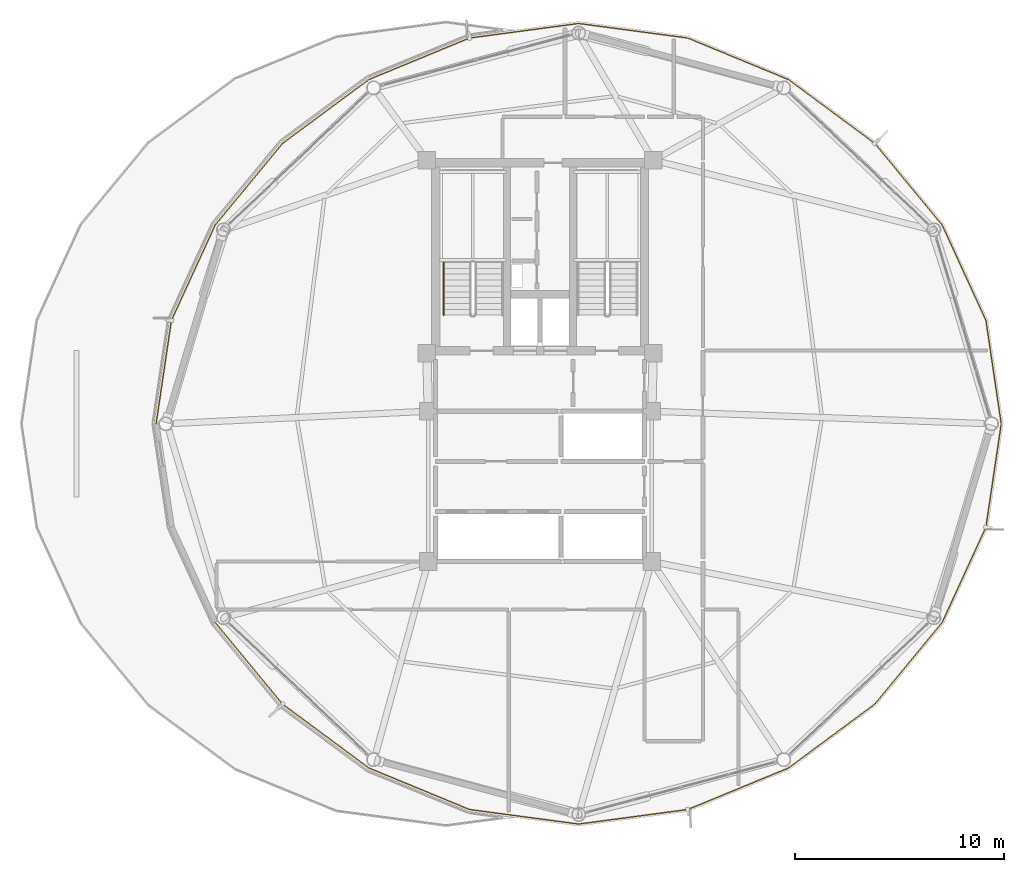
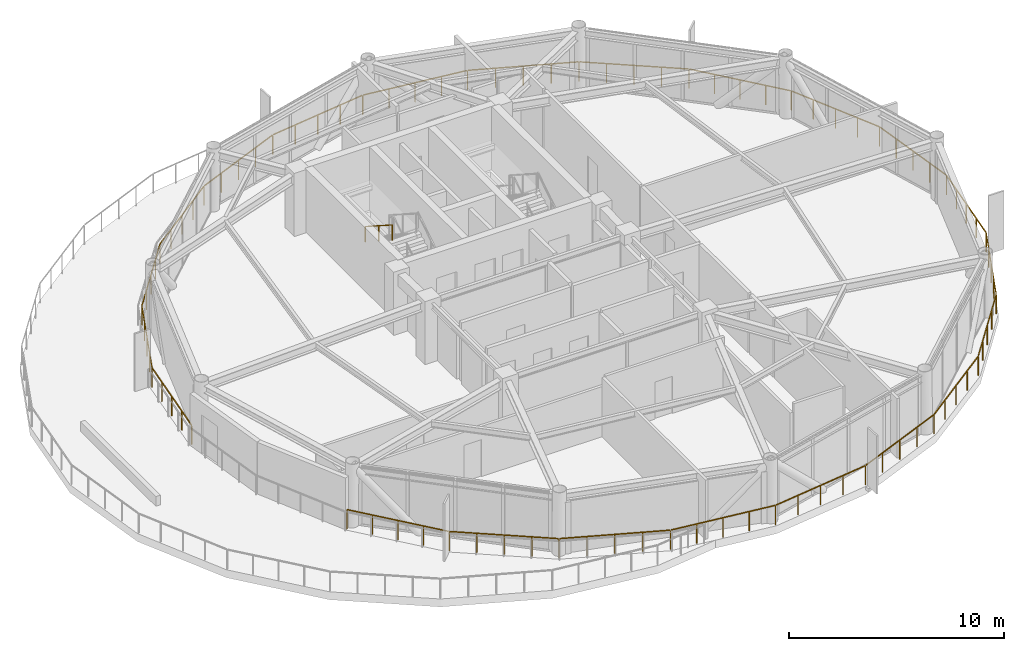
# One storey, part 23 of 25: 2 railings.
"""IFC4 building model written with IfcOpenShell, lengths in metres."""

import ifcopenshell
import ifcopenshell.guid

model = None  # the IFC model being written
_history = None  # IfcOwnerHistory: only IFC2X3 demands one
_inside = {}  # id of a spatial element -> (the spatial element, [elements in it])
_under = {}  # id of a project, library or spatial element -> (it, [spatial elements below it])
_declared = {}  # id of a project -> (the project, [libraries it declares])
_typed = {}  # id of a type object -> (the type object, [elements of that type])
_made_of = {}  # id of a material, layer set ... -> (it, [elements and type objects made of it])


def new_model(schema):
    """Start an empty IFC model of exactly this schema.

    Asked for "IFC4X3", IfcOpenShell would pick the latest addendum, in which some entities
    have other attributes; the version numbers below select the first issue.
    IFC2X3 requires an IfcOwnerHistory on every rooted entity: one is made here for all.
    """
    global model, _history
    if schema == "IFC4X3":
        model = ifcopenshell.file(schema_version=(4, 3, 0, 0))
    else:
        model = ifcopenshell.file(schema=schema)
    _inside.clear()
    _under.clear()
    _declared.clear()
    _typed.clear()
    _made_of.clear()
    _history = None
    if model.schema == "IFC2X3":
        org = make("IfcOrganization", Name="unknown")
        user = make(
            "IfcPersonAndOrganization",
            ThePerson=make("IfcPerson", FamilyName="unknown"),
            TheOrganization=org,
        )
        app = make(
            "IfcApplication",
            ApplicationDeveloper=org,
            Version="unknown",
            ApplicationFullName="unknown",
            ApplicationIdentifier="unknown",
        )
        _history = make(
            "IfcOwnerHistory",
            OwningUser=user,
            OwningApplication=app,
            ChangeAction="ADDED",
            CreationDate=0,
        )
    return model


def make(cls, **values):
    """One entity of the class cls with the attributes given. An attribute that is None is left unset."""
    return model.create_entity(
        cls, **{name: value for name, value in values.items() if value is not None}
    )


def rooted(cls, **values):
    """An entity with a GlobalId (a new one), such as an element, a storey or a relation."""
    return make(cls, GlobalId=ifcopenshell.guid.new(), OwnerHistory=_history, **values)


def si_unit(unit_type, name, prefix=None):
    """IfcSIUnit, for example si_unit("LENGTHUNIT", "METRE", prefix="MILLI")."""
    return make("IfcSIUnit", UnitType=unit_type, Prefix=prefix, Name=name)


def assignment(units):
    """IfcUnitAssignment: the units of a project."""
    return None if units is None else make("IfcUnitAssignment", Units=units)


def point(xyz):
    """IfcCartesianPoint."""
    return None if xyz is None else make("IfcCartesianPoint", Coordinates=xyz)


def direction(xyz):
    """IfcDirection."""
    return None if xyz is None else make("IfcDirection", DirectionRatios=xyz)


def frame(location, z_axis=None, x_axis=None):
    """IfcAxis2Placement3D, a coordinate frame: its origin and axes. An axis left out is left unset."""
    return make(
        "IfcAxis2Placement3D",
        Location=point(location),
        Axis=direction(z_axis),
        RefDirection=direction(x_axis),
    )


def frame_2d(location, x_axis=None):
    """IfcAxis2Placement2D, a coordinate frame in the plane: its origin and x axis."""
    return make(
        "IfcAxis2Placement2D", Location=point(location), RefDirection=direction(x_axis)
    )


def origin():
    """The frame at (0, 0, 0) with its axes left unset."""
    return frame((0.0, 0.0, 0.0))


def origin_2d():
    """The frame at (0, 0) in the plane with its x axis left unset."""
    return frame_2d((0.0, 0.0))


def place(relative_to, where):
    """IfcLocalPlacement: puts the frame where relative to a parent placement (None: the world)."""
    return make(
        "IfcLocalPlacement", PlacementRelTo=relative_to, RelativePlacement=where
    )


def context(
    kind, dimensions, precision=None, world=None, true_north=None, identifier=None
):
    """IfcGeometricRepresentationContext, for example the 3D "Model" context."""
    return make(
        "IfcGeometricRepresentationContext",
        ContextIdentifier=identifier,
        ContextType=kind,
        CoordinateSpaceDimension=dimensions,
        Precision=precision,
        WorldCoordinateSystem=world,
        TrueNorth=true_north,
    )


def subcontext(parent, identifier, kind, view, scale=None):
    """IfcGeometricRepresentationSubContext, for example "Body" below "Model"."""
    return make(
        "IfcGeometricRepresentationSubContext",
        ContextIdentifier=identifier,
        ContextType=kind,
        ParentContext=parent,
        TargetScale=scale,
        TargetView=view,
    )


def project(units=None, contexts=None):
    """IfcProject with its units and contexts."""
    return rooted(
        "IfcProject",
        Name="project",
        RepresentationContexts=contexts,
        UnitsInContext=assignment(units),
    )


def spatial(cls, under=None, at=None, **own):
    """A site, building, storey or space (cls), placed at a placement, below another one or the project."""
    s = rooted(cls, ObjectPlacement=at, **own)
    if under is not None:
        _under.setdefault(under.id(), (under, []))[1].append(s)
    return s


def profile(cls, at=None, kind="AREA", **sizes):
    """A parametric profile (cls). Its sizes go by their IFC names, for example OverallWidth=200.0."""
    return make(cls, ProfileType=kind, Position=at, **sizes)


def rectangle(**sizes):
    """IfcRectangleProfileDef."""
    return profile("IfcRectangleProfileDef", **sizes)


def extrude(swept, where, along, depth):
    """IfcExtrudedAreaSolid: the profile swept, set in the frame where, extruded along a direction by depth."""
    return make(
        "IfcExtrudedAreaSolid",
        SweptArea=swept,
        Position=where,
        ExtrudedDirection=direction(along),
        Depth=depth,
    )


def shape(context_of_items, identifier, shape_type, items):
    """IfcShapeRepresentation: the items that make up one representation, for example the "Body"."""
    return make(
        "IfcShapeRepresentation",
        ContextOfItems=context_of_items,
        RepresentationIdentifier=identifier,
        RepresentationType=shape_type,
        Items=items,
    )


def material(Name=None, Category=None):
    """IfcMaterial."""
    return make("IfcMaterial", Name=Name, Category=Category)


def made_of(thing, what):
    """Note that an element or type object is made of a material, layer set ...; save() writes the relation."""
    if what is not None:
        _made_of.setdefault(what.id(), (what, []))[1].append(thing)
    return thing


def type_object(cls, material=None, **own):
    """A type object (cls), such as IfcWallType, which elements share."""
    return made_of(rooted(cls, **own), material)


def element(
    cls,
    number,
    at=None,
    inside=None,
    cuts=None,
    type_object=None,
    material=None,
    context=None,
    identifier="Body",
    shape_type=None,
    held_by="IfcProductDefinitionShape",
    body=None,
    shapes=None,
    **own,
):
    """One element of the class cls, such as IfcWall. Its Tag is "e" and its number.

    at: its placement. inside: the storey or other place that contains it. cuts: it is an
    opening in that element (IfcRelVoidsElement). A single representation is given by context,
    identifier, shape_type and body (its items); several are given by shapes. held_by: the class
    of the entity that holds the representations. save() writes the other relations.
    """
    e = rooted(cls, Tag="e%d" % number, ObjectPlacement=at, **own)
    if body is not None:
        shapes = [shape(context, identifier, shape_type, body)]
    if shapes is not None:
        e.Representation = make(held_by, Representations=shapes)
    if inside is not None:
        _inside.setdefault(inside.id(), (inside, []))[1].append(e)
    if cuts is not None:
        rooted(
            "IfcRelVoidsElement", RelatingBuildingElement=cuts, RelatedOpeningElement=e
        )
    if type_object is not None:
        _typed.setdefault(type_object.id(), (type_object, []))[1].append(e)
    return made_of(e, material)


def aggregate(whole, parts):
    """IfcRelAggregates: a whole, such as a stair, and the parts it consists of."""
    return rooted("IfcRelAggregates", RelatingObject=whole, RelatedObjects=parts)


def save(model, path):
    """Write the relations noted so far, then the file.

    IfcRelAggregates (storeys below a building ...), IfcRelContainedInSpatialStructure (elements
    in a storey), IfcRelDefinesByType, IfcRelAssociatesMaterial and IfcRelDeclares: one each for
    every whole, place, type object, material and project.
    """
    for whole, parts in _under.values():
        aggregate(whole, parts)
    for where, things in _inside.values():
        rooted(
            "IfcRelContainedInSpatialStructure",
            RelatedElements=things,
            RelatingStructure=where,
        )
    for kind, things in _typed.values():
        rooted("IfcRelDefinesByType", RelatedObjects=things, RelatingType=kind)
    for what, things in _made_of.values():
        rooted("IfcRelAssociatesMaterial", RelatedObjects=things, RelatingMaterial=what)
    for by, libraries in _declared.values():
        rooted("IfcRelDeclares", RelatingContext=by, RelatedDefinitions=libraries)
    model.write(path)


model = new_model("IFC4")

# Units and contexts
model_context = context("Model", 3, precision=1e-05, world=origin(), true_north=direction((0.0, 1.0)))
body_context = subcontext(model_context, "Body", "Model", "MODEL_VIEW")
ifc_project = project(units=[si_unit("LENGTHUNIT", "METRE"), si_unit("AREAUNIT", "SQUARE_METRE"), si_unit("VOLUMEUNIT", "CUBIC_METRE"), si_unit("PLANEANGLEUNIT", "RADIAN"), si_unit("MASSUNIT", "GRAM", prefix="KILO")], contexts=[model_context])

# Site, building, storey
site_placement = place(None, origin())
site = spatial("IfcSite", under=ifc_project, at=site_placement, CompositionType="ELEMENT")
building_placement = place(site_placement, origin())
building = spatial("IfcBuilding", under=site, at=building_placement, Name="Varnakorn Sky Granary", CompositionType="ELEMENT")
storey_placement = place(building_placement, frame((0.0, 0.0, 178.800048828125)))
storey = spatial("IfcBuildingStorey", under=building, at=storey_placement, Name="L44", CompositionType="ELEMENT", Elevation=178.800048828125)

# Railings
ifc_material_1 = material(Name="Anodised Bronze Aluminium Alloy 6063-T6", Category="aluminium")
railing_type_1 = type_object("IfcRailingType", Name="RL-BAL-1120", PredefinedType="BALUSTRADE", material=ifc_material_1)
railing_1_placement = place(storey_placement, frame((-12.554443359375, -9.515380859375, 0.0)))
element("IfcRailing", 1, at=railing_1_placement, inside=storey, type_object=railing_type_1, Name="Perimeter Slab-Edge Safety Guard L44", PredefinedType="BALUSTRADE", context=body_context, shape_type="SweptSolid", body=[
    extrude(rectangle(XDim=0.048095703125, YDim=0.048095703125, at=origin_2d()), frame((0.0, 0.0, 1.09619140625), z_axis=(0.636395852056, -0.771362638119, 0.0), x_axis=(0.771362638119, 0.636395852056, 0.0)), (0.0, 0.0, 1.0), 5.04052734375),
    extrude(rectangle(XDim=0.048095703125, YDim=0.048095703125, at=origin_2d()), frame((3.248046875, -3.92626953125, 1.09619140625), z_axis=(0.803871888754, -0.594802476854, 0.0), x_axis=(0.594802476854, 0.803871888754, 0.0)), (0.0, 0.0, 1.0), 5.08203125),
    extrude(rectangle(XDim=0.048095703125, YDim=0.048095703125, at=origin_2d()), frame((7.3818359375, -6.9765625, 1.09619140625), z_axis=(0.924540427253, -0.381083978113, 0.0), x_axis=(0.381083978113, 0.924540427253, 0.0)), (0.0, 0.0, 1.0), 5.161376953125),
    extrude(rectangle(XDim=0.048095703125, YDim=0.048095703125, at=origin_2d()), frame((12.20751953125, -8.957763671875, 1.09619140625), z_axis=(0.991230732064, -0.132142482995, 0.0), x_axis=(0.132142482995, 0.991230732064, 0.0)), (0.0, 0.0, 1.0), 5.215087890625),
    extrude(rectangle(XDim=0.048095703125, YDim=0.048095703125, at=origin_2d()), frame((17.432373046875, -9.64697265625, 1.09619140625), z_axis=(0.991229923237, 0.132148550047, 0.0), x_axis=(-0.132148550047, 0.991229923237, 0.0)), (0.0, 0.0, 1.0), 5.21484375),
    extrude(rectangle(XDim=0.048095703125, YDim=0.048095703125, at=origin_2d()), frame((22.655029296875, -8.943359375, 1.09619140625), z_axis=(0.924540427253, 0.381083978113, 0.0), x_axis=(-0.381083978113, 0.924540427253, 0.0)), (0.0, 0.0, 1.0), 5.161376953125),
    extrude(rectangle(XDim=0.048095703125, YDim=0.048095703125, at=origin_2d()), frame((27.475341796875, -6.94921875, 1.09619140625), z_axis=(0.803871888754, 0.594802476854, 0.0), x_axis=(-0.594802476854, 0.803871888754, 0.0)), (0.0, 0.0, 1.0), 5.08203125),
    extrude(rectangle(XDim=0.048095703125, YDim=0.048095703125, at=origin_2d()), frame((31.60107421875, -3.88818359375, 1.09619140625), z_axis=(0.636395852056, 0.771362638119, 0.0), x_axis=(-0.771362638119, 0.636395852056, 0.0)), (0.0, 0.0, 1.0), 5.012451171875),
    extrude(rectangle(XDim=0.048095703125, YDim=0.048095703125, at=origin_2d()), frame((34.820556640625, 0.025390625, 1.09619140625), z_axis=(0.416949189768, 0.908929795503, 0.0), x_axis=(-0.908929795503, 0.416949189768, 0.0)), (0.0, 0.0, 1.0), 4.968017578125),
    extrude(rectangle(XDim=0.048095703125, YDim=0.048095703125, at=origin_2d()), frame((36.90771484375, 4.593994140625, 1.09619140625), z_axis=(0.146495603883, 0.989211321227, 0.0), x_axis=(-0.989211321227, 0.146495603883, 0.0)), (0.0, 0.0, 1.0), 4.947021484375),
    extrude(rectangle(XDim=0.048095703125, YDim=0.048095703125, at=origin_2d()), frame((37.63232421875, 9.54296875, 1.09619140625), z_axis=(-0.146495603883, 0.989211321227, 0.0), x_axis=(-0.989211321227, -0.146495603883, 0.0)), (0.0, 0.0, 1.0), 4.947021484375),
    extrude(rectangle(XDim=0.048095703125, YDim=0.048095703125, at=origin_2d()), frame((36.891845703125, 14.48974609375, 1.09619140625), z_axis=(-0.416949189768, 0.908929795503, 0.0), x_axis=(-0.908929795503, -0.416949189768, 0.0)), (0.0, 0.0, 1.0), 4.968017578125),
    extrude(rectangle(XDim=0.048095703125, YDim=0.048095703125, at=origin_2d()), frame((34.791015625, 19.05224609375, 1.09619140625), z_axis=(-0.636395852056, 0.771362638119, 0.0), x_axis=(-0.771362638119, -0.636395852056, 0.0)), (0.0, 0.0, 1.0), 5.012451171875),
    extrude(rectangle(XDim=0.048095703125, YDim=0.048095703125, at=origin_2d()), frame((31.560791015625, 22.95703125, 1.09619140625), z_axis=(-0.803871888754, 0.594802476854, 0.0), x_axis=(-0.594802476854, -0.803871888754, 0.0)), (0.0, 0.0, 1.0), 5.08203125),
    extrude(rectangle(XDim=0.048095703125, YDim=0.048095703125, at=origin_2d()), frame((27.427001953125, 26.00732421875, 1.09619140625), z_axis=(-0.924540427253, 0.381083978113, 0.0), x_axis=(-0.381083978113, -0.924540427253, 0.0)), (0.0, 0.0, 1.0), 5.161376953125),
    extrude(rectangle(XDim=0.048095703125, YDim=0.048095703125, at=origin_2d()), frame((22.601318359375, 27.988525390625, 1.09619140625), z_axis=(-0.991229923237, 0.132148550047, 0.0), x_axis=(-0.132148550047, -0.991229923237, 0.0)), (0.0, 0.0, 1.0), 5.21484375),
    extrude(rectangle(XDim=0.048095703125, YDim=0.048095703125, at=origin_2d()), frame((17.376708984375, 28.677734375, 1.09619140625), z_axis=(-0.991230732064, -0.132142482995, 0.0), x_axis=(0.132142482995, -0.991230732064, 0.0)), (0.0, 0.0, 1.0), 5.215087890625),
    extrude(rectangle(XDim=0.048095703125, YDim=0.048095703125, at=origin_2d()), frame((12.15380859375, 27.97412109375, 1.09619140625), z_axis=(-0.924540427253, -0.381083978113, 0.0), x_axis=(0.381083978113, -0.924540427253, 0.0)), (0.0, 0.0, 1.0), 5.161376953125),
    extrude(rectangle(XDim=0.048095703125, YDim=0.048095703125, at=origin_2d()), frame((7.33349609375, 25.97998046875, 1.09619140625), z_axis=(-0.803871888754, -0.594802476854, 0.0), x_axis=(0.594802476854, -0.803871888754, 0.0)), (0.0, 0.0, 1.0), 5.08203125),
    extrude(rectangle(XDim=0.048095703125, YDim=0.048095703125, at=origin_2d()), frame((3.207763671875, 22.9189453125, 1.09619140625), z_axis=(-0.636395852056, -0.771362638119, 0.0), x_axis=(0.771362638119, -0.636395852056, 0.0)), (0.0, 0.0, 1.0), 5.012451171875),
    extrude(rectangle(XDim=0.048095703125, YDim=0.048095703125, at=origin_2d()), frame((-0.01171875, 19.00537109375, 1.09619140625), z_axis=(-0.416949189768, -0.908929795503, 0.0), x_axis=(0.908929795503, -0.416949189768, 0.0)), (0.0, 0.0, 1.0), 4.968017578125),
    extrude(rectangle(XDim=0.048095703125, YDim=0.048095703125, at=origin_2d()), frame((-2.098876953125, 14.436767578125, 1.09619140625), z_axis=(-0.146495603883, -0.989211321227, 0.0), x_axis=(0.989211321227, -0.146495603883, 0.0)), (0.0, 0.0, 1.0), 4.974853515625),
    extrude(rectangle(XDim=0.0419921875, YDim=0.0419921875, at=origin_2d()), origin(), (0.0, 0.0, 1.0), 1.068115234375),
    extrude(rectangle(XDim=0.0419921875, YDim=0.0419921875, at=origin_2d()), frame((0.806396484375, -0.9775390625, 0.0)), (0.0, 0.0, 1.0), 1.068115234375),
    extrude(rectangle(XDim=0.0419921875, YDim=0.0419921875, at=origin_2d()), frame((1.61279296875, -1.954833984375, 0.0)), (0.0, 0.0, 1.0), 1.068115234375),
    extrude(rectangle(XDim=0.0419921875, YDim=0.0419921875, at=origin_2d()), frame((2.419189453125, -2.93212890625, 0.0)), (0.0, 0.0, 1.0), 1.068115234375),
    extrude(rectangle(XDim=0.0419921875, YDim=0.0419921875, at=origin_2d()), frame((3.2255859375, -3.90966796875, 0.0)), (0.0, 0.0, 1.0), 1.068115234375),
    extrude(rectangle(XDim=0.0419921875, YDim=0.0419921875, at=origin_2d()), frame((4.25830078125, -4.673828125, 0.0)), (0.0, 0.0, 1.0), 1.068115234375),
    extrude(rectangle(XDim=0.0419921875, YDim=0.0419921875, at=origin_2d()), frame((5.290771484375, -5.437744140625, 0.0)), (0.0, 0.0, 1.0), 1.068115234375),
    extrude(rectangle(XDim=0.0419921875, YDim=0.0419921875, at=origin_2d()), frame((6.3232421875, -6.20166015625, 0.0)), (0.0, 0.0, 1.0), 1.068115234375),
    extrude(rectangle(XDim=0.0419921875, YDim=0.0419921875, at=origin_2d()), frame((7.35595703125, -6.9658203125, 0.0)), (0.0, 0.0, 1.0), 1.068115234375),
    extrude(rectangle(XDim=0.0419921875, YDim=0.0419921875, at=origin_2d()), frame((8.56201171875, -7.462890625, 0.0)), (0.0, 0.0, 1.0), 1.068115234375),
    extrude(rectangle(XDim=0.0419921875, YDim=0.0419921875, at=origin_2d()), frame((9.767822265625, -7.9599609375, 0.0)), (0.0, 0.0, 1.0), 1.068115234375),
    extrude(rectangle(XDim=0.0419921875, YDim=0.0419921875, at=origin_2d()), frame((10.9736328125, -8.45703125, 0.0)), (0.0, 0.0, 1.0), 1.068115234375),
    extrude(rectangle(XDim=0.0419921875, YDim=0.0419921875, at=origin_2d()), frame((12.1796875, -8.9541015625, 0.0)), (0.0, 0.0, 1.0), 1.068115234375),
    extrude(rectangle(XDim=0.0419921875, YDim=0.0419921875, at=origin_2d()), frame((13.48583984375, -9.128173828125, 0.0)), (0.0, 0.0, 1.0), 1.068115234375),
    extrude(rectangle(XDim=0.0419921875, YDim=0.0419921875, at=origin_2d()), frame((14.7919921875, -9.30224609375, 0.0)), (0.0, 0.0, 1.0), 1.068115234375),
    extrude(rectangle(XDim=0.0419921875, YDim=0.0419921875, at=origin_2d()), frame((16.098388671875, -9.4765625, 0.0)), (0.0, 0.0, 1.0), 1.068115234375),
    extrude(rectangle(XDim=0.0419921875, YDim=0.0419921875, at=origin_2d()), frame((17.404541015625, -9.650634765625, 0.0)), (0.0, 0.0, 1.0), 1.068115234375),
    extrude(rectangle(XDim=0.0419921875, YDim=0.0419921875, at=origin_2d()), frame((18.710693359375, -9.4765625, 0.0)), (0.0, 0.0, 1.0), 1.068115234375),
    extrude(rectangle(XDim=0.0419921875, YDim=0.0419921875, at=origin_2d()), frame((20.016845703125, -9.30224609375, 0.0)), (0.0, 0.0, 1.0), 1.068115234375),
    extrude(rectangle(XDim=0.0419921875, YDim=0.0419921875, at=origin_2d()), frame((21.322998046875, -9.128173828125, 0.0)), (0.0, 0.0, 1.0), 1.068115234375),
    extrude(rectangle(XDim=0.0419921875, YDim=0.0419921875, at=origin_2d()), frame((22.629150390625, -8.9541015625, 0.0)), (0.0, 0.0, 1.0), 1.068115234375),
    extrude(rectangle(XDim=0.0419921875, YDim=0.0419921875, at=origin_2d()), frame((23.8349609375, -8.45703125, 0.0)), (0.0, 0.0, 1.0), 1.068115234375),
    extrude(rectangle(XDim=0.0419921875, YDim=0.0419921875, at=origin_2d()), frame((25.041015625, -7.9599609375, 0.0)), (0.0, 0.0, 1.0), 1.068115234375),
    extrude(rectangle(XDim=0.0419921875, YDim=0.0419921875, at=origin_2d()), frame((26.2470703125, -7.462890625, 0.0)), (0.0, 0.0, 1.0), 1.068115234375),
    extrude(rectangle(XDim=0.0419921875, YDim=0.0419921875, at=origin_2d()), frame((27.452880859375, -6.9658203125, 0.0)), (0.0, 0.0, 1.0), 1.068115234375),
    extrude(rectangle(XDim=0.0419921875, YDim=0.0419921875, at=origin_2d()), frame((28.4853515625, -6.20166015625, 0.0)), (0.0, 0.0, 1.0), 1.068115234375),
    extrude(rectangle(XDim=0.0419921875, YDim=0.0419921875, at=origin_2d()), frame((29.51806640625, -5.437744140625, 0.0)), (0.0, 0.0, 1.0), 1.068115234375),
    extrude(rectangle(XDim=0.0419921875, YDim=0.0419921875, at=origin_2d()), frame((30.55078125, -4.673828125, 0.0)), (0.0, 0.0, 1.0), 1.068115234375),
    extrude(rectangle(XDim=0.0419921875, YDim=0.0419921875, at=origin_2d()), frame((31.583251953125, -3.90966796875, 0.0)), (0.0, 0.0, 1.0), 1.068115234375),
    extrude(rectangle(XDim=0.0419921875, YDim=0.0419921875, at=origin_2d()), frame((32.3896484375, -2.93212890625, 0.0)), (0.0, 0.0, 1.0), 1.068115234375),
    extrude(rectangle(XDim=0.0419921875, YDim=0.0419921875, at=origin_2d()), frame((33.196044921875, -1.954833984375, 0.0)), (0.0, 0.0, 1.0), 1.068115234375),
    extrude(rectangle(XDim=0.0419921875, YDim=0.0419921875, at=origin_2d()), frame((34.00244140625, -0.9775390625, 0.0)), (0.0, 0.0, 1.0), 1.068115234375),
    extrude(rectangle(XDim=0.0419921875, YDim=0.0419921875, at=origin_2d()), frame((34.808837890625, 0.0, 0.0)), (0.0, 0.0, 1.0), 1.068115234375),
    extrude(rectangle(XDim=0.0419921875, YDim=0.0419921875, at=origin_2d()), frame((35.33251953125, 1.1416015625, 0.0)), (0.0, 0.0, 1.0), 1.068115234375),
    extrude(rectangle(XDim=0.0419921875, YDim=0.0419921875, at=origin_2d()), frame((35.856201171875, 2.283203125, 0.0)), (0.0, 0.0, 1.0), 1.068115234375),
    extrude(rectangle(XDim=0.0419921875, YDim=0.0419921875, at=origin_2d()), frame((36.3798828125, 3.4248046875, 0.0)), (0.0, 0.0, 1.0), 1.068115234375),
    extrude(rectangle(XDim=0.0419921875, YDim=0.0419921875, at=origin_2d()), frame((36.903564453125, 4.56640625, 0.0)), (0.0, 0.0, 1.0), 1.068115234375),
    extrude(rectangle(XDim=0.0419921875, YDim=0.0419921875, at=origin_2d()), frame((37.0869140625, 5.8037109375, 0.0)), (0.0, 0.0, 1.0), 1.068115234375),
    extrude(rectangle(XDim=0.0419921875, YDim=0.0419921875, at=origin_2d()), frame((37.27001953125, 7.041015625, 0.0)), (0.0, 0.0, 1.0), 1.068115234375),
    extrude(rectangle(XDim=0.0419921875, YDim=0.0419921875, at=origin_2d()), frame((37.453125, 8.278076171875, 0.0)), (0.0, 0.0, 1.0), 1.068115234375),
    extrude(rectangle(XDim=0.0419921875, YDim=0.0419921875, at=origin_2d()), frame((37.636474609375, 9.515380859375, 0.0)), (0.0, 0.0, 1.0), 1.068115234375),
    extrude(rectangle(XDim=0.0419921875, YDim=0.0419921875, at=origin_2d()), frame((37.453125, 10.752685546875, 0.0)), (0.0, 0.0, 1.0), 1.068115234375),
    extrude(rectangle(XDim=0.0419921875, YDim=0.0419921875, at=origin_2d()), frame((37.27001953125, 11.98974609375, 0.0)), (0.0, 0.0, 1.0), 1.068115234375),
    extrude(rectangle(XDim=0.0419921875, YDim=0.0419921875, at=origin_2d()), frame((37.0869140625, 13.22705078125, 0.0)), (0.0, 0.0, 1.0), 1.068115234375),
    extrude(rectangle(XDim=0.0419921875, YDim=0.0419921875, at=origin_2d()), frame((36.903564453125, 14.46435546875, 0.0)), (0.0, 0.0, 1.0), 1.068115234375),
    extrude(rectangle(XDim=0.0419921875, YDim=0.0419921875, at=origin_2d()), frame((36.3798828125, 15.60595703125, 0.0)), (0.0, 0.0, 1.0), 1.068115234375),
    extrude(rectangle(XDim=0.0419921875, YDim=0.0419921875, at=origin_2d()), frame((35.856201171875, 16.74755859375, 0.0)), (0.0, 0.0, 1.0), 1.068115234375),
    extrude(rectangle(XDim=0.0419921875, YDim=0.0419921875, at=origin_2d()), frame((35.33251953125, 17.88916015625, 0.0)), (0.0, 0.0, 1.0), 1.068115234375),
    extrude(rectangle(XDim=0.0419921875, YDim=0.0419921875, at=origin_2d()), frame((34.808837890625, 19.03076171875, 0.0)), (0.0, 0.0, 1.0), 1.068115234375),
    extrude(rectangle(XDim=0.0419921875, YDim=0.0419921875, at=origin_2d()), frame((34.00244140625, 20.00830078125, 0.0)), (0.0, 0.0, 1.0), 1.068115234375),
    extrude(rectangle(XDim=0.0419921875, YDim=0.0419921875, at=origin_2d()), frame((33.196044921875, 20.985595703125, 0.0)), (0.0, 0.0, 1.0), 1.068115234375),
    extrude(rectangle(XDim=0.0419921875, YDim=0.0419921875, at=origin_2d()), frame((32.3896484375, 21.962890625, 0.0)), (0.0, 0.0, 1.0), 1.068115234375),
    extrude(rectangle(XDim=0.0419921875, YDim=0.0419921875, at=origin_2d()), frame((31.583251953125, 22.9404296875, 0.0)), (0.0, 0.0, 1.0), 1.068115234375),
    extrude(rectangle(XDim=0.0419921875, YDim=0.0419921875, at=origin_2d()), frame((30.55078125, 23.70458984375, 0.0)), (0.0, 0.0, 1.0), 1.068115234375),
    extrude(rectangle(XDim=0.0419921875, YDim=0.0419921875, at=origin_2d()), frame((29.51806640625, 24.468505859375, 0.0)), (0.0, 0.0, 1.0), 1.068115234375),
    extrude(rectangle(XDim=0.0419921875, YDim=0.0419921875, at=origin_2d()), frame((28.4853515625, 25.232421875, 0.0)), (0.0, 0.0, 1.0), 1.068115234375),
    extrude(rectangle(XDim=0.0419921875, YDim=0.0419921875, at=origin_2d()), frame((27.452880859375, 25.99658203125, 0.0)), (0.0, 0.0, 1.0), 1.068115234375),
    extrude(rectangle(XDim=0.0419921875, YDim=0.0419921875, at=origin_2d()), frame((26.2470703125, 26.49365234375, 0.0)), (0.0, 0.0, 1.0), 1.068115234375),
    extrude(rectangle(XDim=0.0419921875, YDim=0.0419921875, at=origin_2d()), frame((25.041015625, 26.99072265625, 0.0)), (0.0, 0.0, 1.0), 1.068115234375),
    extrude(rectangle(XDim=0.0419921875, YDim=0.0419921875, at=origin_2d()), frame((23.8349609375, 27.48779296875, 0.0)), (0.0, 0.0, 1.0), 1.068115234375),
    extrude(rectangle(XDim=0.0419921875, YDim=0.0419921875, at=origin_2d()), frame((22.629150390625, 27.98486328125, 0.0)), (0.0, 0.0, 1.0), 1.068115234375),
    extrude(rectangle(XDim=0.0419921875, YDim=0.0419921875, at=origin_2d()), frame((21.322998046875, 28.158935546875, 0.0)), (0.0, 0.0, 1.0), 1.068115234375),
    extrude(rectangle(XDim=0.0419921875, YDim=0.0419921875, at=origin_2d()), frame((20.016845703125, 28.3330078125, 0.0)), (0.0, 0.0, 1.0), 1.068115234375),
    extrude(rectangle(XDim=0.0419921875, YDim=0.0419921875, at=origin_2d()), frame((18.710693359375, 28.50732421875, 0.0)), (0.0, 0.0, 1.0), 1.068115234375),
    extrude(rectangle(XDim=0.0419921875, YDim=0.0419921875, at=origin_2d()), frame((17.404541015625, 28.681396484375, 0.0)), (0.0, 0.0, 1.0), 1.068115234375),
    extrude(rectangle(XDim=0.0419921875, YDim=0.0419921875, at=origin_2d()), frame((16.098388671875, 28.50732421875, 0.0)), (0.0, 0.0, 1.0), 1.068115234375),
    extrude(rectangle(XDim=0.0419921875, YDim=0.0419921875, at=origin_2d()), frame((14.7919921875, 28.3330078125, 0.0)), (0.0, 0.0, 1.0), 1.068115234375),
    extrude(rectangle(XDim=0.0419921875, YDim=0.0419921875, at=origin_2d()), frame((13.48583984375, 28.158935546875, 0.0)), (0.0, 0.0, 1.0), 1.068115234375),
    extrude(rectangle(XDim=0.0419921875, YDim=0.0419921875, at=origin_2d()), frame((12.1796875, 27.98486328125, 0.0)), (0.0, 0.0, 1.0), 1.068115234375),
    extrude(rectangle(XDim=0.0419921875, YDim=0.0419921875, at=origin_2d()), frame((10.9736328125, 27.48779296875, 0.0)), (0.0, 0.0, 1.0), 1.068115234375),
    extrude(rectangle(XDim=0.0419921875, YDim=0.0419921875, at=origin_2d()), frame((9.767822265625, 26.99072265625, 0.0)), (0.0, 0.0, 1.0), 1.068115234375),
    extrude(rectangle(XDim=0.0419921875, YDim=0.0419921875, at=origin_2d()), frame((8.56201171875, 26.49365234375, 0.0)), (0.0, 0.0, 1.0), 1.068115234375),
    extrude(rectangle(XDim=0.0419921875, YDim=0.0419921875, at=origin_2d()), frame((7.35595703125, 25.99658203125, 0.0)), (0.0, 0.0, 1.0), 1.068115234375),
    extrude(rectangle(XDim=0.0419921875, YDim=0.0419921875, at=origin_2d()), frame((6.3232421875, 25.232421875, 0.0)), (0.0, 0.0, 1.0), 1.068115234375),
    extrude(rectangle(XDim=0.0419921875, YDim=0.0419921875, at=origin_2d()), frame((5.290771484375, 24.468505859375, 0.0)), (0.0, 0.0, 1.0), 1.068115234375),
    extrude(rectangle(XDim=0.0419921875, YDim=0.0419921875, at=origin_2d()), frame((4.25830078125, 23.70458984375, 0.0)), (0.0, 0.0, 1.0), 1.068115234375),
    extrude(rectangle(XDim=0.0419921875, YDim=0.0419921875, at=origin_2d()), frame((3.2255859375, 22.9404296875, 0.0)), (0.0, 0.0, 1.0), 1.068115234375),
    extrude(rectangle(XDim=0.0419921875, YDim=0.0419921875, at=origin_2d()), frame((2.419189453125, 21.962890625, 0.0)), (0.0, 0.0, 1.0), 1.068115234375),
    extrude(rectangle(XDim=0.0419921875, YDim=0.0419921875, at=origin_2d()), frame((1.61279296875, 20.985595703125, 0.0)), (0.0, 0.0, 1.0), 1.068115234375),
    extrude(rectangle(XDim=0.0419921875, YDim=0.0419921875, at=origin_2d()), frame((0.806396484375, 20.00830078125, 0.0)), (0.0, 0.0, 1.0), 1.068115234375),
    extrude(rectangle(XDim=0.0419921875, YDim=0.0419921875, at=origin_2d()), frame((0.0, 19.03076171875, 0.0)), (0.0, 0.0, 1.0), 1.068115234375),
    extrude(rectangle(XDim=0.0419921875, YDim=0.0419921875, at=origin_2d()), frame((-0.523681640625, 17.88916015625, 0.0)), (0.0, 0.0, 1.0), 1.068115234375),
    extrude(rectangle(XDim=0.0419921875, YDim=0.0419921875, at=origin_2d()), frame((-1.04736328125, 16.74755859375, 0.0)), (0.0, 0.0, 1.0), 1.068115234375),
    extrude(rectangle(XDim=0.0419921875, YDim=0.0419921875, at=origin_2d()), frame((-1.571044921875, 15.60595703125, 0.0)), (0.0, 0.0, 1.0), 1.068115234375),
    extrude(rectangle(XDim=0.0419921875, YDim=0.0419921875, at=origin_2d()), frame((-2.0947265625, 14.46435546875, 0.0)), (0.0, 0.0, 1.0), 1.068115234375),
    extrude(rectangle(XDim=0.0419921875, YDim=0.0419921875, at=origin_2d()), frame((-2.27783203125, 13.22705078125, 0.0)), (0.0, 0.0, 1.0), 1.068115234375),
    extrude(rectangle(XDim=0.0419921875, YDim=0.0419921875, at=origin_2d()), frame((-2.461181640625, 11.98974609375, 0.0)), (0.0, 0.0, 1.0), 1.068115234375),
    extrude(rectangle(XDim=0.0419921875, YDim=0.0419921875, at=origin_2d()), frame((-2.64453125, 10.752685546875, 0.0)), (0.0, 0.0, 1.0), 1.068115234375),
    extrude(rectangle(XDim=0.0419921875, YDim=0.0419921875, at=origin_2d()), frame((-2.82763671875, 9.515380859375, 0.0)), (0.0, 0.0, 1.0), 1.068115234375),
])
ifc_material_2 = material(Name="Brushed Stainless Steel 316", Category="steel")
railing_type_2 = type_object("IfcRailingType", Name="RL-STAIR-920", PredefinedType="HANDRAIL", material=ifc_material_2)
railing_2_placement = place(storey_placement, frame((-1.6201171875, 7.719970703125, 1.97998046875)))
element("IfcRailing", 2, at=railing_2_placement, inside=storey, type_object=railing_type_2, Name="L44 ST-1 stair handrail 2", PredefinedType="HANDRAIL", context=body_context, shape_type="SweptSolid", body=[
    extrude(rectangle(XDim=0.048095703125, YDim=0.048095703125, at=origin_2d()), frame((0.0, 0.0, 0.8759765625), z_axis=(0.0, -0.841199657755, 0.540724639528), x_axis=(1.0, 0.0, 0.0)), (0.0, 0.0, 1.0), 2.995849609375),
    extrude(rectangle(XDim=0.0419921875, YDim=0.0419921875, at=origin_2d()), origin(), (0.0, 0.0, 1.0), 0.847900390625),
    extrude(rectangle(XDim=0.0419921875, YDim=0.0419921875, at=origin_2d()), frame((0.0, -1.260009765625, 0.81005859375)), (0.0, 0.0, 1.0), 0.847900390625),
    extrude(rectangle(XDim=0.0419921875, YDim=0.0419921875, at=origin_2d()), frame((0.0, -2.52001953125, 1.619873046875)), (0.0, 0.0, 1.0), 0.847900390625),
])

save(model, "model.ifc")
